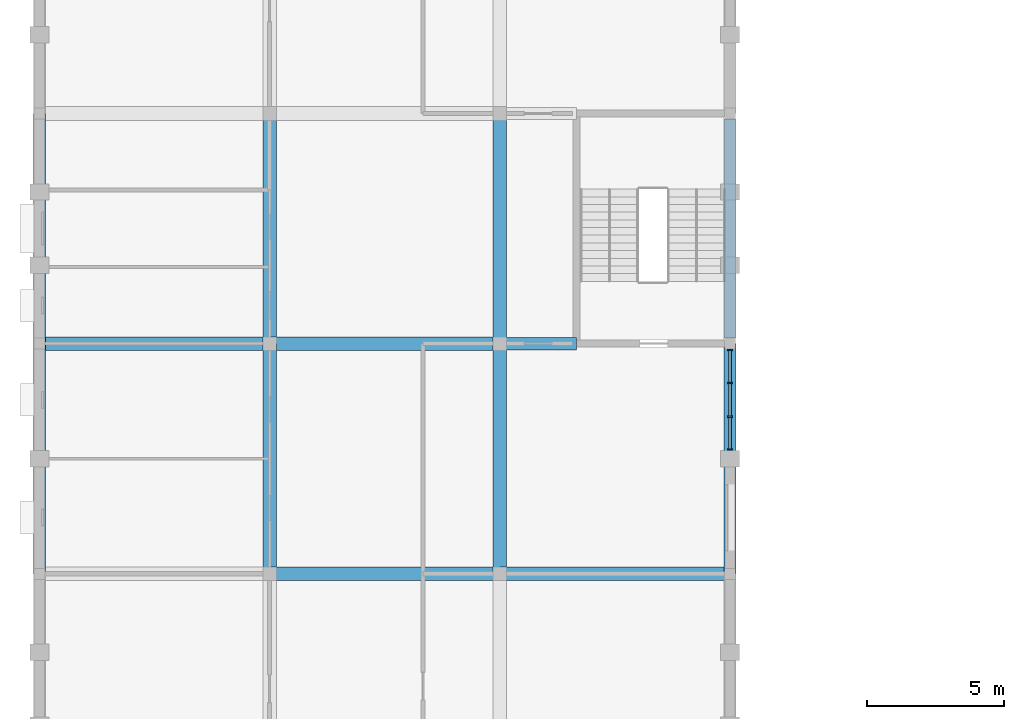
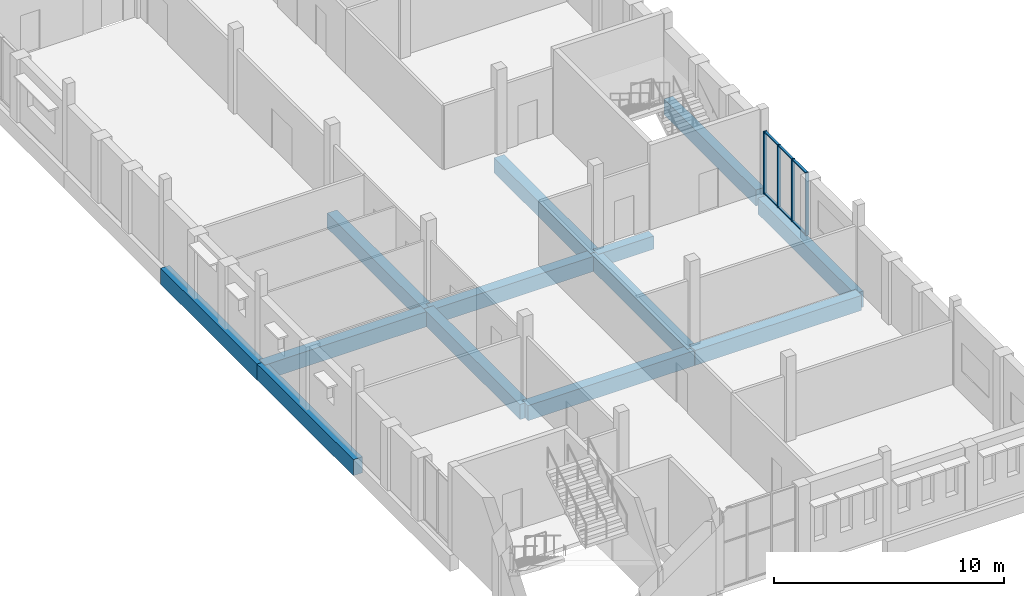
# One storey, part 4 of 38: 13 beams, 10 members, 1 element without a shape of its own.
"""IFC4 building model written with IfcOpenShell, lengths in metres."""

from ifc_helpers import new_model, si_unit, direction, frame, origin, origin_2d, place, context, subcontext, project, spatial, rectangle, extrude, material, material_profile, profile_set, type_object, element, aggregate, save


model = new_model("IFC4")

# Units and contexts
model_context = context("Model", 3, precision=1e-05, world=origin(), true_north=direction((0.0, 1.0)))
body_context = subcontext(model_context, "Body", "Model", "MODEL_VIEW")
ifc_project = project(units=[si_unit("LENGTHUNIT", "METRE"), si_unit("AREAUNIT", "SQUARE_METRE"), si_unit("VOLUMEUNIT", "CUBIC_METRE"), si_unit("PLANEANGLEUNIT", "RADIAN"), si_unit("MASSUNIT", "GRAM", prefix="KILO")], contexts=[model_context])

# Site, building, storey
site_placement = place(None, origin())
site = spatial("IfcSite", under=ifc_project, at=site_placement, CompositionType="ELEMENT")
building_placement = place(site_placement, origin())
building = spatial("IfcBuilding", under=site, at=building_placement, Name="Fescue Hill Polytechnic", CompositionType="ELEMENT")
storey_placement = place(building_placement, frame((0.0, 0.0, 18.0)))
storey = spatial("IfcBuildingStorey", under=building, at=storey_placement, Name="L04", CompositionType="ELEMENT", Elevation=18.0)

# Beams
ifc_material_1 = material(Name="Concrete 35 MPa", Category="concrete")
ifc_material_profile_1 = material_profile(ifc_material_1, rectangle(XDim=0.449951171875, YDim=0.699951171875, at=origin_2d()), Name="RC 450x700")
ifc_profile_set_1 = profile_set([ifc_material_profile_1], Name="Concrete 35 MPa")
beam_type_1 = type_object("IfcBeamType", Name="Beam RC 450x700", PredefinedType="BEAM", material=ifc_profile_set_1)
beam_1_placement = place(storey_placement, frame((16.81005859375, 75.60009765625, -0.64990234375), z_axis=(1.0, 0.0, 0.0), x_axis=(0.0, 1.0, 0.0)))
element("IfcBeam", 1, at=beam_1_placement, inside=storey, type_object=beam_type_1, Name="BM-L04-0045", PredefinedType="BEAM", context=body_context, shape_type="SweptSolid", body=[
    extrude(rectangle(XDim=0.449951171875, YDim=0.699951171875, at=origin_2d()), origin(), (0.0, 0.0, 1.0), 2.7900390625),
])
ifc_material_profile_2 = material_profile(ifc_material_1, rectangle(XDim=0.449951171875, YDim=0.85009765625, at=origin_2d()), Name="RC 450x850")
ifc_profile_set_2 = profile_set([ifc_material_profile_2], Name="Concrete 35 MPa")
beam_type_2 = type_object("IfcBeamType", Name="Beam RC 450x850", PredefinedType="BEAM", material=ifc_profile_set_2)
beam_2_placement = place(storey_placement, frame((0.0, 67.199951171875, -0.72509765625), z_axis=(0.0, 1.0, 0.0), x_axis=(-1.0, 0.0, 0.0)))
element("IfcBeam", 2, at=beam_2_placement, inside=storey, type_object=beam_type_2, Name="BM-L04-0002", PredefinedType="BEAM", context=body_context, shape_type="SweptSolid", body=[
    extrude(rectangle(XDim=0.449951171875, YDim=0.85009765625, at=origin_2d()), origin(), (0.0, 0.0, 1.0), 8.400146484375),
])
beam_3_placement = place(storey_placement, frame((0.0, 75.60009765625, -0.72509765625), z_axis=(0.0, 1.0, 0.0), x_axis=(-1.0, 0.0, 0.0)))
element("IfcBeam", 3, at=beam_3_placement, inside=storey, type_object=beam_type_2, Name="BM-L04-0003", PredefinedType="BEAM", context=body_context, shape_type="SweptSolid", body=[
    extrude(rectangle(XDim=0.449951171875, YDim=0.85009765625, at=origin_2d()), origin(), (0.0, 0.0, 1.0), 8.39990234375),
])
beam_4_placement = place(storey_placement, frame((25.199951171875, 67.199951171875, -0.72509765625), z_axis=(0.0, 1.0, 0.0), x_axis=(-1.0, 0.0, 0.0)))
element("IfcBeam", 4, at=beam_4_placement, inside=storey, type_object=beam_type_2, Name="BM-L04-0052", PredefinedType="BEAM", context=body_context, shape_type="SweptSolid", body=[
    extrude(rectangle(XDim=0.449951171875, YDim=0.85009765625, at=origin_2d()), origin(), (0.0, 0.0, 1.0), 8.400146484375),
])
beam_5_placement = place(storey_placement, frame((25.199951171875, 75.800048828125, -0.425048828125), z_axis=(0.0, 1.0, 0.0), x_axis=(-1.0, 0.0, 0.0)))
element("IfcBeam", 5, at=beam_5_placement, inside=storey, type_object=beam_type_2, Name="BM-L04-0126", PredefinedType="BEAM", context=body_context, shape_type="SweptSolid", body=[
    extrude(rectangle(XDim=0.449951171875, YDim=0.85009765625, at=origin_2d()), origin(), (0.0, 0.0, 1.0), 8.0),
])
ifc_material_profile_3 = material_profile(ifc_material_1, rectangle(XDim=0.5, YDim=0.800048828125, at=origin_2d()), Name="RC 500x800")
ifc_profile_set_3 = profile_set([ifc_material_profile_3], Name="Concrete 35 MPa")
beam_type_3 = type_object("IfcBeamType", Name="Beam RC 500x800", PredefinedType="BEAM", material=ifc_profile_set_3)
beam_6_placement = place(storey_placement, frame((0.010009765625, 75.60009765625, -0.699951171875), z_axis=(1.0, 0.0, 0.0), x_axis=(0.0, 1.0, 0.0)))
element("IfcBeam", 6, at=beam_6_placement, inside=storey, type_object=beam_type_3, Name="BM-L04-0009", PredefinedType="BEAM", context=body_context, shape_type="SweptSolid", body=[
    extrude(rectangle(XDim=0.5, YDim=0.800048828125, at=origin_2d()), origin(), (0.0, 0.0, 1.0), 8.3798828125),
])
beam_7_placement = place(storey_placement, frame((8.39990234375, 67.199951171875, -0.699951171875), z_axis=(0.0, 1.0, 0.0), x_axis=(-1.0, 0.0, 0.0)))
element("IfcBeam", 7, at=beam_7_placement, inside=storey, type_object=beam_type_3, Name="BM-L04-0018", PredefinedType="BEAM", context=body_context, shape_type="SweptSolid", body=[
    extrude(rectangle(XDim=0.5, YDim=0.800048828125, at=origin_2d()), origin(), (0.0, 0.0, 1.0), 8.400146484375),
])
beam_8_placement = place(storey_placement, frame((8.39990234375, 75.60009765625, -0.699951171875), z_axis=(0.0, 1.0, 0.0), x_axis=(-1.0, 0.0, 0.0)))
element("IfcBeam", 8, at=beam_8_placement, inside=storey, type_object=beam_type_3, Name="BM-L04-0019", PredefinedType="BEAM", context=body_context, shape_type="SweptSolid", body=[
    extrude(rectangle(XDim=0.5, YDim=0.800048828125, at=origin_2d()), origin(), (0.0, 0.0, 1.0), 8.39990234375),
])
for number, where, z_axis, x_axis, name in (
    (9, (8.409912109375, 67.199951171875, -0.699951171875), (1.0, 0.0, 0.0), (0.0, 1.0, 0.0), "BM-L04-0025"),
    (10, (8.409912109375, 75.60009765625, -0.699951171875), (1.0, 0.0, 0.0), (0.0, 1.0, 0.0), "BM-L04-0026"),
):
    element("IfcBeam", number, at=place(storey_placement, frame(where, z_axis=z_axis, x_axis=x_axis)), inside=storey, type_object=beam_type_3, Name=name, PredefinedType="BEAM", context=body_context, shape_type="SweptSolid", body=[
        extrude(rectangle(XDim=0.5, YDim=0.800048828125, at=origin_2d()), origin(), (0.0, 0.0, 1.0), 8.380126953125),
    ])
beam_9_placement = place(storey_placement, frame((16.800048828125, 67.199951171875, -0.699951171875), z_axis=(0.0, 1.0, 0.0), x_axis=(-1.0, 0.0, 0.0)))
element("IfcBeam", 11, at=beam_9_placement, inside=storey, type_object=beam_type_3, Name="BM-L04-0034", PredefinedType="BEAM", context=body_context, shape_type="SweptSolid", body=[
    extrude(rectangle(XDim=0.5, YDim=0.800048828125, at=origin_2d()), origin(), (0.0, 0.0, 1.0), 8.400146484375),
])
beam_10_placement = place(storey_placement, frame((16.800048828125, 75.60009765625, -0.699951171875), z_axis=(0.0, 1.0, 0.0), x_axis=(-1.0, 0.0, 0.0)))
element("IfcBeam", 12, at=beam_10_placement, inside=storey, type_object=beam_type_3, Name="BM-L04-0035", PredefinedType="BEAM", context=body_context, shape_type="SweptSolid", body=[
    extrude(rectangle(XDim=0.5, YDim=0.800048828125, at=origin_2d()), origin(), (0.0, 0.0, 1.0), 8.39990234375),
])
beam_11_placement = place(storey_placement, frame((16.81005859375, 67.199951171875, -0.699951171875), z_axis=(1.0, 0.0, 0.0), x_axis=(0.0, 1.0, 0.0)))
element("IfcBeam", 13, at=beam_11_placement, inside=storey, type_object=beam_type_3, Name="BM-L04-0044", PredefinedType="BEAM", context=body_context, shape_type="SweptSolid", body=[
    extrude(rectangle(XDim=0.5, YDim=0.800048828125, at=origin_2d()), origin(), (0.0, 0.0, 1.0), 8.3798828125),
])

# Curtain wall, members
ifc_material_2 = material(Name="Glass", Category="glass")
curtain_wall_type = type_object("IfcCurtainWallType", Name="Curtain wall structural glazing", PredefinedType="NOTDEFINED", material=ifc_material_2)
curtain_wall_placement = place(storey_placement, origin())
curtain_wall = element("IfcCurtainWall", 14, at=curtain_wall_placement, inside=storey, type_object=curtain_wall_type, Name="CW-L04-V4-X3", PredefinedType="NOTDEFINED")
ifc_material_3 = material(Name="Powder-coated aluminium", Category="aluminium")
ifc_material_profile_4 = material_profile(ifc_material_3, rectangle(XDim=0.159912109375, YDim=0.06005859375, at=origin_2d()), Name="Mullion aluminium 60x160")
ifc_profile_set_4 = profile_set([ifc_material_profile_4], Name="Powder-coated aluminium")
member_type_1 = type_object("IfcMemberType", Name="Mullion aluminium 60x160", PredefinedType="MULLION", material=ifc_profile_set_4)
member_1_placement = place(storey_placement, frame((25.199951171875, 71.72998046875, 0.0), z_axis=(0.0, 0.0, 1.0), x_axis=(-1.0, 0.0, 0.0)))
member_1 = element("IfcMember", 15, at=member_1_placement, type_object=member_type_1, Name="CW137 mullion 1", PredefinedType="MULLION", context=body_context, shape_type="SweptSolid", body=[
    extrude(rectangle(XDim=0.159912109375, YDim=0.06005859375, at=origin_2d()), origin(), (0.0, 0.0, 1.0), 3.330078125),
])
member_2_placement = place(storey_placement, frame((25.199951171875, 72.933349609375, 0.0), z_axis=(0.0, 0.0, 1.0), x_axis=(-1.0, 0.0, 0.0)))
member_2 = element("IfcMember", 16, at=member_2_placement, type_object=member_type_1, Name="CW137 mullion 2", PredefinedType="MULLION", context=body_context, shape_type="SweptSolid", body=[
    extrude(rectangle(XDim=0.159912109375, YDim=0.06005859375, at=origin_2d()), origin(), (0.0, 0.0, 1.0), 3.330078125),
])
member_3_placement = place(storey_placement, frame((25.199951171875, 74.166748046875, 0.0), z_axis=(0.0, 0.0, 1.0), x_axis=(-1.0, 0.0, 0.0)))
member_3 = element("IfcMember", 17, at=member_3_placement, type_object=member_type_1, Name="CW137 mullion 3", PredefinedType="MULLION", context=body_context, shape_type="SweptSolid", body=[
    extrude(rectangle(XDim=0.159912109375, YDim=0.06005859375, at=origin_2d()), origin(), (0.0, 0.0, 1.0), 3.330078125),
])
member_4_placement = place(storey_placement, frame((25.199951171875, 75.3701171875, 0.0), z_axis=(0.0, 0.0, 1.0), x_axis=(-1.0, 0.0, 0.0)))
member_4 = element("IfcMember", 18, at=member_4_placement, type_object=member_type_1, Name="CW137 mullion 4", PredefinedType="MULLION", context=body_context, shape_type="SweptSolid", body=[
    extrude(rectangle(XDim=0.159912109375, YDim=0.06005859375, at=origin_2d()), origin(), (0.0, 0.0, 1.0), 3.330078125),
])
ifc_material_profile_5 = material_profile(ifc_material_3, rectangle(XDim=0.1201171875, YDim=0.06005859375, at=origin_2d()), Name="Transom aluminium 60x120")
ifc_profile_set_5 = profile_set([ifc_material_profile_5], Name="Powder-coated aluminium")
member_type_2 = type_object("IfcMemberType", Name="Transom aluminium 60x120", PredefinedType="USERDEFINED", material=ifc_profile_set_5)
member_5_placement = place(storey_placement, frame((25.199951171875, 71.760009765625, 0.030029296875), z_axis=(0.0, 1.0, 0.0), x_axis=(-1.0, 0.0, 0.0)))
member_5 = element("IfcMember", 19, at=member_5_placement, type_object=member_type_2, Name="CW137 transom 1.1", ObjectType="TRANSOM", PredefinedType="USERDEFINED", context=body_context, shape_type="SweptSolid", body=[
    extrude(rectangle(XDim=0.1201171875, YDim=0.06005859375, at=origin_2d()), origin(), (0.0, 0.0, 1.0), 1.143310546875),
])
member_6_placement = place(storey_placement, frame((25.199951171875, 71.760009765625, 3.300048828125), z_axis=(0.0, 1.0, 0.0), x_axis=(-1.0, 0.0, 0.0)))
member_6 = element("IfcMember", 20, at=member_6_placement, type_object=member_type_2, Name="CW137 transom 1.2", ObjectType="TRANSOM", PredefinedType="USERDEFINED", context=body_context, shape_type="SweptSolid", body=[
    extrude(rectangle(XDim=0.1201171875, YDim=0.06005859375, at=origin_2d()), origin(), (0.0, 0.0, 1.0), 1.143310546875),
])
member_7_placement = place(storey_placement, frame((25.199951171875, 72.96337890625, 0.030029296875), z_axis=(0.0, 1.0, 0.0), x_axis=(-1.0, 0.0, 0.0)))
member_7 = element("IfcMember", 21, at=member_7_placement, type_object=member_type_2, Name="CW137 transom 2.1", ObjectType="TRANSOM", PredefinedType="USERDEFINED", context=body_context, shape_type="SweptSolid", body=[
    extrude(rectangle(XDim=0.1201171875, YDim=0.06005859375, at=origin_2d()), origin(), (0.0, 0.0, 1.0), 1.17333984375),
])
member_8_placement = place(storey_placement, frame((25.199951171875, 72.96337890625, 3.300048828125), z_axis=(0.0, 1.0, 0.0), x_axis=(-1.0, 0.0, 0.0)))
member_8 = element("IfcMember", 22, at=member_8_placement, type_object=member_type_2, Name="CW137 transom 2.2", ObjectType="TRANSOM", PredefinedType="USERDEFINED", context=body_context, shape_type="SweptSolid", body=[
    extrude(rectangle(XDim=0.1201171875, YDim=0.06005859375, at=origin_2d()), origin(), (0.0, 0.0, 1.0), 1.17333984375),
])
member_9_placement = place(storey_placement, frame((25.199951171875, 74.19677734375, 0.030029296875), z_axis=(0.0, 1.0, 0.0), x_axis=(-1.0, 0.0, 0.0)))
member_9 = element("IfcMember", 23, at=member_9_placement, type_object=member_type_2, Name="CW137 transom 3.1", ObjectType="TRANSOM", PredefinedType="USERDEFINED", context=body_context, shape_type="SweptSolid", body=[
    extrude(rectangle(XDim=0.1201171875, YDim=0.06005859375, at=origin_2d()), origin(), (0.0, 0.0, 1.0), 1.143310546875),
])
member_10_placement = place(storey_placement, frame((25.199951171875, 74.19677734375, 3.300048828125), z_axis=(0.0, 1.0, 0.0), x_axis=(-1.0, 0.0, 0.0)))
member_10 = element("IfcMember", 24, at=member_10_placement, type_object=member_type_2, Name="CW137 transom 3.2", ObjectType="TRANSOM", PredefinedType="USERDEFINED", context=body_context, shape_type="SweptSolid", body=[
    extrude(rectangle(XDim=0.1201171875, YDim=0.06005859375, at=origin_2d()), origin(), (0.0, 0.0, 1.0), 1.143310546875),
])
aggregate(curtain_wall, [member_1, member_2, member_3, member_4, member_5, member_6, member_7, member_8, member_9, member_10])

save(model, "model.ifc")
